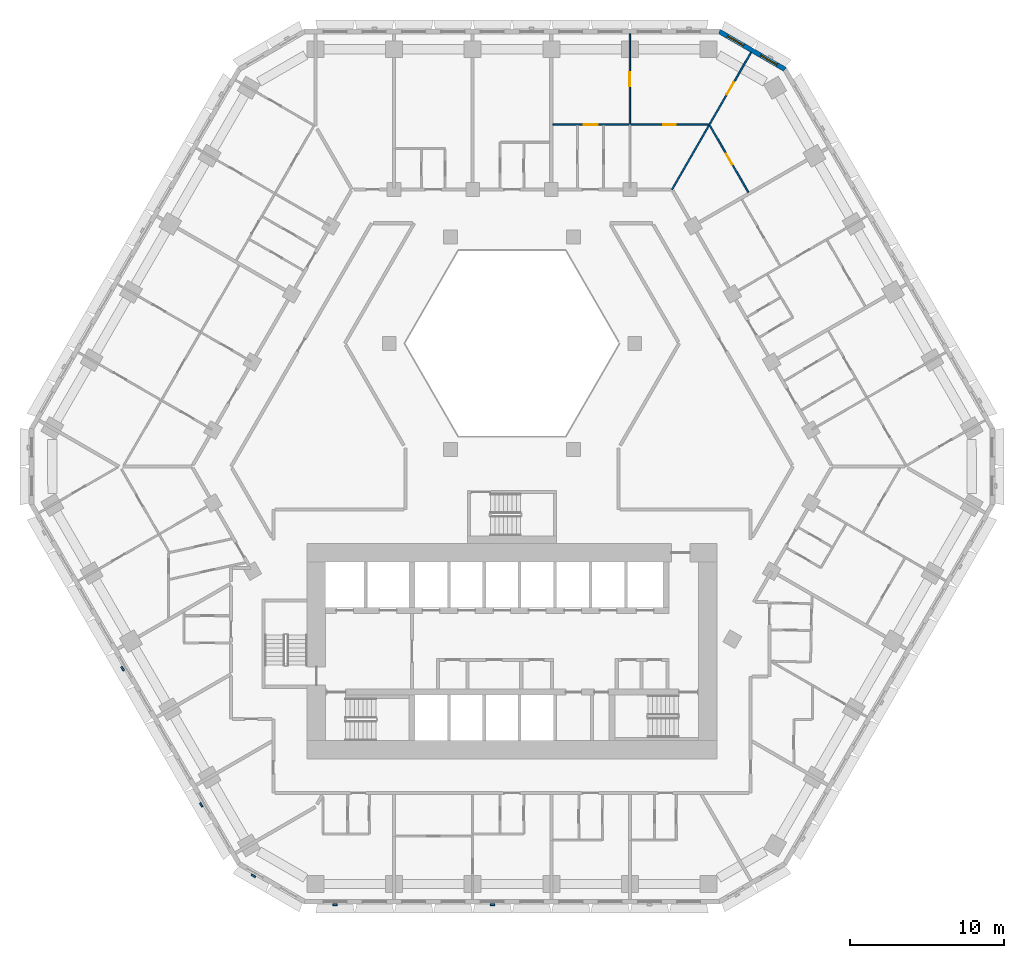
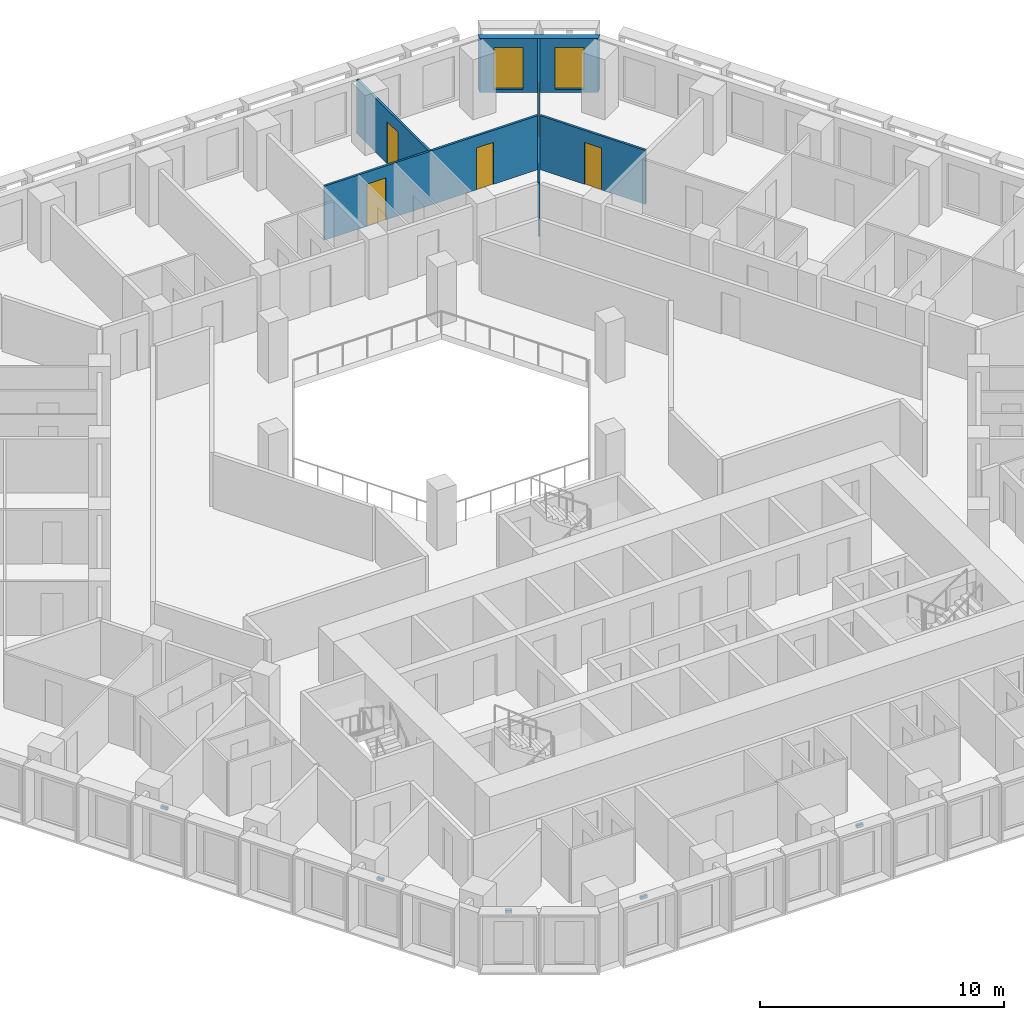
# One storey, part 12 of 21: 5 discrete accessories, 5 doors, 5 walls, 2 windows, 7 openings.
"""IFC4 building model written with IfcOpenShell, lengths in metres."""

from ifc_helpers import new_model, si_unit, direction, frame, frame_2d, origin, place, context, subcontext, project, spatial, polyline, rectangle, outline, extrude, source, transform, mapped, material, layer, layer_set, type_object, type_shapes, element, fill, save


model = new_model("IFC4")

# Units and contexts
model_context = context("Model", 3, precision=1e-05, world=origin(), true_north=direction((0.0, 1.0)))
body_context = subcontext(model_context, "Body", "Model", "MODEL_VIEW")
ifc_project = project(units=[si_unit("LENGTHUNIT", "METRE"), si_unit("AREAUNIT", "SQUARE_METRE"), si_unit("VOLUMEUNIT", "CUBIC_METRE"), si_unit("PLANEANGLEUNIT", "RADIAN"), si_unit("MASSUNIT", "GRAM", prefix="KILO")], contexts=[model_context])

# Site, building, storey
site_placement = place(None, origin())
site = spatial("IfcSite", under=ifc_project, at=site_placement, CompositionType="ELEMENT")
building_placement = place(site_placement, origin())
building = spatial("IfcBuilding", under=site, at=building_placement, Name="Beryl Residences", CompositionType="ELEMENT")
storey_placement = place(building_placement, frame((0.0, 0.0, 29.39990234375)))
storey = spatial("IfcBuildingStorey", under=building, at=storey_placement, Name="L08", CompositionType="ELEMENT", Elevation=29.39990234375)

# Wall, openings, windows
ifc_material_1 = material(Name="Composite metal panel with mineral wool insulation")
ifc_layer_1 = layer(ifc_material_1, 0.300048828125)
ifc_layer_set_1 = layer_set([ifc_layer_1], Name="ES1 pale metal composite panel wall 300 mm")
wall_type_1 = type_object("IfcWallType", Name="ES1 pale metal composite panel wall 300 mm", PredefinedType="SOLIDWALL", material=ifc_layer_set_1)
wall_1_placement = place(storey_placement, frame((17.764892578125, 25.77001953125, 0.0), z_axis=(0.0, 0.0, 1.0), x_axis=(-0.866010750942, 0.50002537861, 0.0)))
wall_1 = element("IfcWall", 1, at=wall_1_placement, inside=storey, type_object=wall_type_1, Name="ES1 external wall L08 NE-N", PredefinedType="SOLIDWALL", context=body_context, shape_type="SweptSolid", body=[
    extrude(outline(polyline([(0.0, -0.14990234375), (4.999755859375, -0.14990234375), (4.91943359375, 0.14990234375), (0.080322265625, 0.14990234375), (0.0, -0.14990234375)])), origin(), (0.0, 0.0, 1.0), 2.7001953125),
])
opening_1_placement = place(wall_1_placement, frame((0.64990234375, 0.0, 0.14990234375)))
opening_1 = element("IfcOpeningElement", 2, at=opening_1_placement, cuts=wall_1, Name="Opening W2", PredefinedType="OPENING", context=body_context, shape_type="SweptSolid", body=[
    extrude(rectangle(XDim=1.199951171875, YDim=2.10009765625, at=frame_2d((0.60009765625, 1.050048828125))), frame((0.0, 0.159912109375, 0.0), z_axis=(0.0, -1.0, 0.0), x_axis=(1.0, 0.0, 0.0)), (0.0, 0.0, 1.0), 0.320068359375),
])
opening_2_placement = place(wall_1_placement, frame((3.14990234375, 0.0, 0.14990234375)))
opening_2 = element("IfcOpeningElement", 3, at=opening_2_placement, cuts=wall_1, Name="Opening W2", PredefinedType="OPENING", context=body_context, shape_type="SweptSolid", body=[
    extrude(rectangle(XDim=1.199951171875, YDim=2.10009765625, at=frame_2d((0.60009765625, 1.050048828125))), frame((0.0, 0.159912109375, 0.0), z_axis=(0.0, -1.0, 0.0), x_axis=(1.0, 0.0, 0.0)), (0.0, 0.0, 1.0), 0.320068359375),
])
ifc_material_2 = material(Name="Aluminium and clear glass", Category="aluminium")
window_type = type_object("IfcWindowType", Name="W2 chamfer window 1200 x 2100 mm", PartitioningType="SINGLE_PANEL", PredefinedType="WINDOW", material=ifc_material_2)
window_1_placement = place(opening_1_placement, origin())
window_1 = element("IfcWindow", 4, at=window_1_placement, inside=storey, type_object=window_type, Name="W2 window L08 NE-N 1", OverallHeight=2.10009765625, OverallWidth=1.199951171875, PartitioningType="SINGLE_PANEL", PredefinedType="WINDOW", context=body_context, shape_type="SweptSolid", body=[
    extrude(rectangle(XDim=1.199951171875, YDim=2.10009765625, at=frame_2d((0.60009765625, 1.050048828125))), frame((0.0, 0.030029296875, 0.0), z_axis=(0.0, -1.0, 0.0), x_axis=(1.0, 0.0, 0.0)), (0.0, 0.0, 1.0), 0.06005859375),
])
fill(opening_1, window_1)
window_2_placement = place(opening_2_placement, origin())
window_2 = element("IfcWindow", 5, at=window_2_placement, inside=storey, type_object=window_type, Name="W2 window L08 NE-N 2", OverallHeight=2.10009765625, OverallWidth=1.199951171875, PartitioningType="SINGLE_PANEL", PredefinedType="WINDOW", context=body_context, shape_type="SweptSolid", body=[
    extrude(rectangle(XDim=1.199951171875, YDim=2.10009765625, at=frame_2d((0.60009765625, 1.050048828125))), frame((0.0, 0.030029296875, 0.0), z_axis=(0.0, -1.0, 0.0), x_axis=(1.0, 0.0, 0.0)), (0.0, 0.0, 1.0), 0.06005859375),
])
fill(opening_2, window_2)

# Wall, opening, door
ifc_material_3 = material(Name="Gypsum board partition on steel studs", Category="steel")
ifc_layer_2 = layer(ifc_material_3, 0.10009765625)
ifc_layer_set_2 = layer_set([ifc_layer_2], Name="PT1 partition 100 mm gypsum board on steel studs")
wall_type_2 = type_object("IfcWallType", Name="PT1 partition 100 mm gypsum board on steel studs", PredefinedType="PARTITIONING", material=ifc_layer_set_2)
wall_2_placement = place(storey_placement, frame((12.845947265625, 22.14990234375, 0.0), z_axis=(0.0, 0.0, 1.0), x_axis=(0.500002715276, -0.866023836113, 0.0)))
wall_2 = element("IfcWall", 6, at=wall_2_placement, inside=storey, type_object=wall_type_2, Name="Wall PT1 L08 004", PredefinedType="PARTITIONING", context=body_context, shape_type="SweptSolid", body=[
    extrude(rectangle(XDim=5.001953125, YDim=0.10009765625, at=frame_2d((2.5009765625, 0.0))), origin(), (0.0, 0.0, 1.0), 2.7001953125),
])
opening_3_placement = place(wall_2_placement, frame((2.1220703125, 0.0, 0.0)))
opening_3 = element("IfcOpeningElement", 7, at=opening_3_placement, cuts=wall_2, Name="Opening D0148", PredefinedType="OPENING", context=body_context, shape_type="SweptSolid", body=[
    extrude(rectangle(XDim=0.800048828125, YDim=2.10009765625, at=frame_2d((0.39990234375, 1.050048828125))), frame((0.0, 0.06005859375, 0.0), z_axis=(0.0, -1.0, 0.0), x_axis=(1.0, 0.0, 0.0)), (0.0, 0.0, 1.0), 0.1201171875),
])
ifc_material_4 = material(Name="Timber door leaf", Category="wood")
door_type_1 = type_object("IfcDoorType", Name="D3 bathroom door 800 x 2100 mm", OperationType="SINGLE_SWING_LEFT", PredefinedType="DOOR", material=ifc_material_4)
door_1_placement = place(opening_3_placement, origin())
door_1 = element("IfcDoor", 8, at=door_1_placement, inside=storey, type_object=door_type_1, Name="Door D0148 L08 001", OperationType="SINGLE_SWING_RIGHT", OverallHeight=2.10009765625, OverallWidth=0.800048828125, PredefinedType="DOOR", context=body_context, shape_type="SweptSolid", body=[
    extrude(rectangle(XDim=0.800048828125, YDim=2.10009765625, at=frame_2d((0.39990234375, 1.050048828125))), frame((0.0, 0.02490234375, 0.0), z_axis=(0.0, -1.0, 0.0), x_axis=(1.0, 0.0, 0.0)), (0.0, 0.0, 1.0), 0.050048828125),
])
fill(opening_3, door_1)

# Wall, openings, doors
wall_3_placement = place(storey_placement, frame((2.65087890625, 22.199951171875, 0.0), z_axis=(0.0, 0.0, 1.0), x_axis=(1.0, 0.0, 0.0)))
wall_3 = element("IfcWall", 9, at=wall_3_placement, inside=storey, type_object=wall_type_2, Name="Wall PT1 L08 034", PredefinedType="PARTITIONING", context=body_context, shape_type="SweptSolid", body=[
    extrude(rectangle(XDim=10.109130859375, YDim=0.10009765625, at=frame_2d((5.0546875, 0.0))), origin(), (0.0, 0.0, 1.0), 2.7001953125),
])
opening_4_placement = place(wall_3_placement, frame((2.001953125, 0.0, 0.0)))
opening_4 = element("IfcOpeningElement", 10, at=opening_4_placement, cuts=wall_3, Name="Opening D0144", PredefinedType="OPENING", context=body_context, shape_type="SweptSolid", body=[
    extrude(rectangle(XDim=0.89990234375, YDim=2.10009765625, at=frame_2d((0.449951171875, 1.050048828125))), frame((0.0, 0.06005859375, 0.0), z_axis=(0.0, -1.0, 0.0), x_axis=(1.0, 0.0, 0.0)), (0.0, 0.0, 1.0), 0.1201171875),
])
opening_5_placement = place(wall_3_placement, frame((7.18505859375, 0.0, 0.0)))
opening_5 = element("IfcOpeningElement", 11, at=opening_5_placement, cuts=wall_3, Name="Opening D0147", PredefinedType="OPENING", context=body_context, shape_type="SweptSolid", body=[
    extrude(rectangle(XDim=0.800048828125, YDim=2.10009765625, at=frame_2d((0.39990234375, 1.050048828125))), frame((0.0, 0.06005859375, 0.0), z_axis=(0.0, -1.0, 0.0), x_axis=(1.0, 0.0, 0.0)), (0.0, 0.0, 1.0), 0.1201171875),
])
ifc_material_5 = material(Name="Timber door leaf", Category="wood")
door_type_2 = type_object("IfcDoorType", Name="D2 room door 900 x 2100 mm", OperationType="SINGLE_SWING_LEFT", PredefinedType="DOOR", material=ifc_material_5)
door_2_placement = place(opening_4_placement, origin())
door_2 = element("IfcDoor", 12, at=door_2_placement, inside=storey, type_object=door_type_2, Name="Door D0144 L08 001", OperationType="SINGLE_SWING_RIGHT", OverallHeight=2.10009765625, OverallWidth=0.89990234375, PredefinedType="DOOR", context=body_context, shape_type="SweptSolid", body=[
    extrude(rectangle(XDim=0.89990234375, YDim=2.10009765625, at=frame_2d((0.449951171875, 1.050048828125))), frame((0.0, 0.02490234375, 0.0), z_axis=(0.0, -1.0, 0.0), x_axis=(1.0, 0.0, 0.0)), (0.0, 0.0, 1.0), 0.050048828125),
])
fill(opening_4, door_2)
door_3_placement = place(opening_5_placement, origin())
door_3 = element("IfcDoor", 13, at=door_3_placement, inside=storey, type_object=door_type_1, Name="Door D0147 L08 001", OperationType="SINGLE_SWING_LEFT", OverallHeight=2.10009765625, OverallWidth=0.800048828125, PredefinedType="DOOR", context=body_context, shape_type="SweptSolid", body=[
    extrude(rectangle(XDim=0.800048828125, YDim=2.10009765625, at=frame_2d((0.39990234375, 1.050048828125))), frame((0.0, 0.02490234375, 0.0), z_axis=(0.0, -1.0, 0.0), x_axis=(1.0, 0.0, 0.0)), (0.0, 0.0, 1.0), 0.050048828125),
])
fill(opening_5, door_3)

# Wall, opening, door
wall_4_placement = place(storey_placement, frame((10.39306640625, 18.0, 0.0), z_axis=(0.0, 0.0, 1.0), x_axis=(0.499945497007, 0.866056868816, 0.0)))
wall_4 = element("IfcWall", 14, at=wall_4_placement, inside=storey, type_object=wall_type_2, Name="Wall PT1 L08 038", PredefinedType="PARTITIONING", context=body_context, shape_type="SweptSolid", body=[
    extrude(rectangle(XDim=10.264892578125, YDim=0.10009765625, at=frame_2d((5.13232421875, 0.0))), origin(), (0.0, 0.0, 1.0), 2.7001953125),
])
opening_6_placement = place(wall_4_placement, frame((7.10791015625, 0.0, 0.0)))
opening_6 = element("IfcOpeningElement", 15, at=opening_6_placement, cuts=wall_4, Name="Opening D0146", PredefinedType="OPENING", context=body_context, shape_type="SweptSolid", body=[
    extrude(rectangle(XDim=0.89990234375, YDim=2.10009765625, at=frame_2d((0.449951171875, 1.050048828125))), frame((0.0, 0.06005859375, 0.0), z_axis=(0.0, -1.0, 0.0), x_axis=(1.0, 0.0, 0.0)), (0.0, 0.0, 1.0), 0.1201171875),
])
door_4_placement = place(opening_6_placement, origin())
door_4 = element("IfcDoor", 16, at=door_4_placement, inside=storey, type_object=door_type_2, Name="Door D0146 L08 001", OperationType="SINGLE_SWING_RIGHT", OverallHeight=2.10009765625, OverallWidth=0.89990234375, PredefinedType="DOOR", context=body_context, shape_type="SweptSolid", body=[
    extrude(rectangle(XDim=0.89990234375, YDim=2.10009765625, at=frame_2d((0.449951171875, 1.050048828125))), frame((0.0, 0.02490234375, 0.0), z_axis=(0.0, -1.0, 0.0), x_axis=(1.0, 0.0, 0.0)), (0.0, 0.0, 1.0), 0.050048828125),
])
fill(opening_6, door_4)

wall_5_placement = place(storey_placement, frame((7.655029296875, 22.199951171875, 0.0), z_axis=(0.0, 0.0, 1.0), x_axis=(0.0, 1.0, 0.0)))
wall_5 = element("IfcWall", 17, at=wall_5_placement, inside=storey, type_object=wall_type_2, Name="Wall PT1 L08 076", PredefinedType="PARTITIONING", context=body_context, shape_type="SweptSolid", body=[
    extrude(rectangle(XDim=5.900146484375, YDim=0.10009765625, at=frame_2d((2.9501953125, 0.0))), origin(), (0.0, 0.0, 1.0), 2.7001953125),
])
opening_7_placement = place(wall_5_placement, frame((2.5, 0.0, 0.0)))
opening_7 = element("IfcOpeningElement", 18, at=opening_7_placement, cuts=wall_5, Name="Opening D0145", PredefinedType="OPENING", context=body_context, shape_type="SweptSolid", body=[
    extrude(rectangle(XDim=0.89990234375, YDim=2.10009765625, at=frame_2d((0.449951171875, 1.050048828125))), frame((0.0, 0.06005859375, 0.0), z_axis=(0.0, -1.0, 0.0), x_axis=(1.0, 0.0, 0.0)), (0.0, 0.0, 1.0), 0.1201171875),
])
door_5_placement = place(opening_7_placement, origin())
door_5 = element("IfcDoor", 19, at=door_5_placement, inside=storey, type_object=door_type_2, Name="Door D0145 L08 001", OperationType="SINGLE_SWING_LEFT", OverallHeight=2.10009765625, OverallWidth=0.89990234375, PredefinedType="DOOR", context=body_context, shape_type="SweptSolid", body=[
    extrude(rectangle(XDim=0.89990234375, YDim=2.10009765625, at=frame_2d((0.449951171875, 1.050048828125))), frame((0.0, 0.02490234375, 0.0), z_axis=(0.0, -1.0, 0.0), x_axis=(1.0, 0.0, 0.0)), (0.0, 0.0, 1.0), 0.050048828125),
])
fill(opening_7, door_5)

# Discrete accessories
ifc_material_6 = material(Name="Steel S355", Category="steel")
discrete_accessory_type = type_object("IfcDiscreteAccessoryType", Name="BR1 frame bracket 300 x 120 x 150 mm", PredefinedType="BRACKET", material=ifc_material_6)
shared_shape = source(origin(), body_context, "Body", "SweptSolid", [
    extrude(outline(polyline([(-0.14990234375, 0.0), (0.14990234375, 0.0), (0.14990234375, 0.1201171875), (-0.14990234375, 0.1201171875), (-0.14990234375, 0.0)])), origin(), (0.0, 0.0, 1.0), 0.14990234375),
])
type_shapes(discrete_accessory_type, [shared_shape])
for number, where, z_axis, x_axis, name in (
    (20, (-25.23193359375, -13.095947265625, 2.75), (0.0, 0.0, 1.0), (-0.5, 0.866025403784, 0.0), "BR1 bracket L08 SW 5"),
    (21, (-20.12890625, -21.93603515625, 2.75), (0.0, 0.0, 1.0), (-0.5, 0.866025403784, 0.0), "BR1 bracket L08 SW 9"),
    (22, (-16.758056640625, -26.52490234375, 2.75), (0.0, 0.0, 1.0), (-0.866025403784, 0.5, 0.0), "BR1 bracket L08 SW-S 1"),
    (23, (-11.48291015625, -28.39990234375, 2.75), (0.0, 0.0, 1.0), (-1.0, 0.0, 0.0), "BR1 bracket L08 S 1"),
    (24, (-1.27490234375, -28.39990234375, 2.75), (0.0, 0.0, 1.0), (-1.0, 0.0, 0.0), "BR1 bracket L08 S 5"),
):
    element("IfcDiscreteAccessory", number, at=place(storey_placement, frame(where, z_axis=z_axis, x_axis=x_axis)), inside=storey, type_object=discrete_accessory_type, Name=name, PredefinedType="BRACKET", context=body_context, shape_type="MappedRepresentation", body=[
        mapped(shared_shape, transform((0.0, 0.0, 0.0))),
    ])

save(model, "model.ifc")
